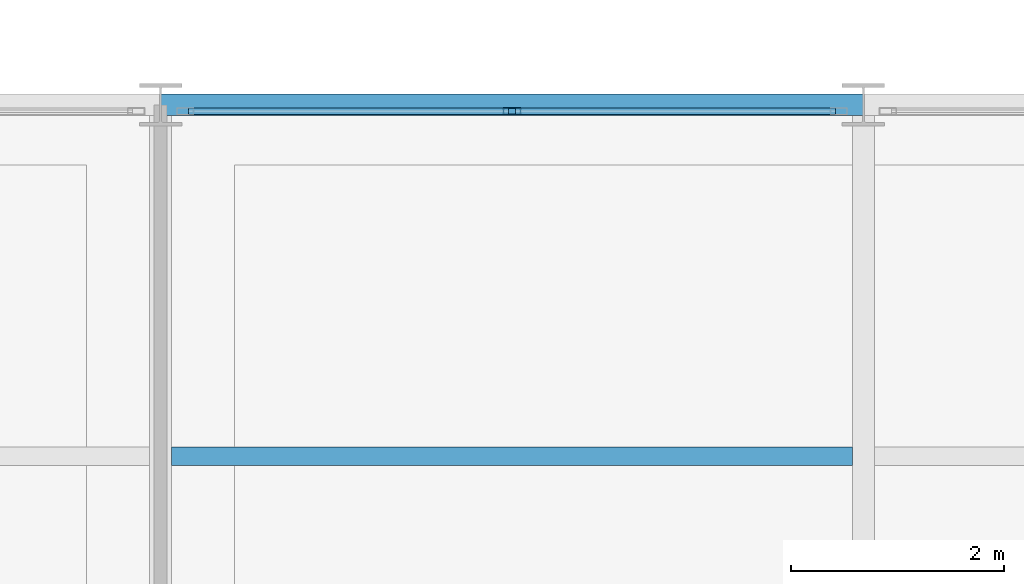
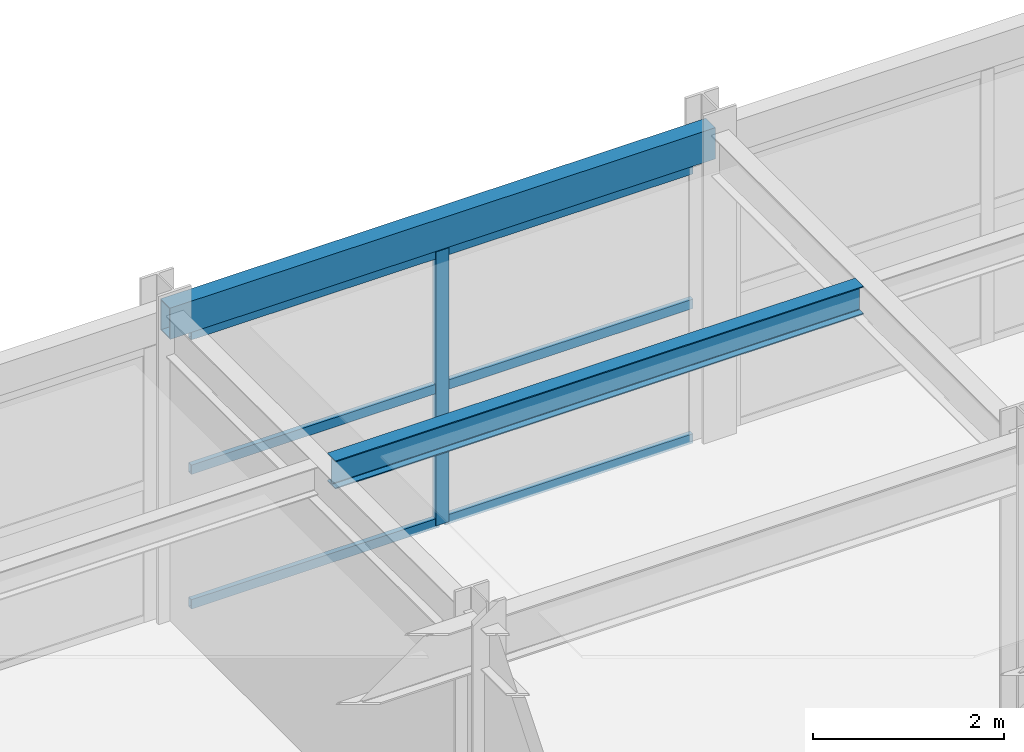
# One storey, part 58 of 147: 7 members, 2 beams, 1 element without a shape of its own.
"""IFC4 building model written with IfcOpenShell, lengths in metres."""

from ifc_helpers import new_model, si_unit, direction, frame, origin, origin_2d, place, context, subcontext, project, spatial, hollow_rectangle, i_section, extrude, material, material_profile, profile_set, type_object, element, aggregate, save


model = new_model("IFC4")

# Units and contexts
model_context = context("Model", 3, precision=1e-05, world=origin(), true_north=direction((0.0, 1.0)))
body_context = subcontext(model_context, "Body", "Model", "MODEL_VIEW")
ifc_project = project(units=[si_unit("LENGTHUNIT", "METRE"), si_unit("AREAUNIT", "SQUARE_METRE"), si_unit("VOLUMEUNIT", "CUBIC_METRE"), si_unit("PLANEANGLEUNIT", "RADIAN"), si_unit("MASSUNIT", "GRAM", prefix="KILO")], contexts=[model_context])

# Site, building, storey
site_placement = place(None, origin())
site = spatial("IfcSite", under=ifc_project, at=site_placement, CompositionType="ELEMENT")
building_placement = place(site_placement, origin())
building = spatial("IfcBuilding", under=site, at=building_placement, Name="Karori Crest Natural Sciences Institute", CompositionType="ELEMENT")
storey_placement = place(building_placement, frame((0.0, 0.0, 9.10009765625)))
storey = spatial("IfcBuildingStorey", under=building, at=storey_placement, Name="L02", CompositionType="ELEMENT", Elevation=9.10009765625)

# Beams
ifc_material_1 = material(Name="Structural steel AS/NZS 3679.1 Grade 350", Category="steel")
ifc_material_profile_1 = material_profile(ifc_material_1, i_section(OverallWidth=0.172119140625, OverallDepth=0.35888671875, WebThickness=0.008056640625, FlangeThickness=0.012939453125, FilletRadius=0.010986328125, at=origin_2d()), Name="360UB56.7")
ifc_profile_set_1 = profile_set([ifc_material_profile_1], Name="Structural steel AS/NZS 3679.1 Grade 350")
beam_type_1 = type_object("IfcBeamType", Name="BT-08", PredefinedType="BEAM", material=ifc_profile_set_1)
beam_1_placement = place(storey_placement, frame((123.50439453125, 17.300048828125, 3.740478515625), z_axis=(1.0, 0.0, 0.0), x_axis=(0.0, 1.0, 0.0)))
element("IfcBeam", 1, at=beam_1_placement, inside=storey, type_object=beam_type_1, Name="Beam B-2267", PredefinedType="BEAM", context=body_context, shape_type="SweptSolid", body=[
    extrude(i_section(OverallWidth=0.172119140625, OverallDepth=0.35888671875, WebThickness=0.008056640625, FlangeThickness=0.012939453125, FilletRadius=0.010986328125, at=origin_2d()), origin(), (0.0, 0.0, 1.0), 6.39111328125),
])
ifc_material_2 = material(Name="Hollow structural steel AS/NZS 1163 Grade C350", Category="steel")
ifc_material_profile_2 = material_profile(ifc_material_2, hollow_rectangle(XDim=0.199951171875, YDim=0.39990234375, WallThickness=0.012451171875, at=origin_2d()), Name="RHS400x200x12.5")
ifc_profile_set_2 = profile_set([ifc_material_profile_2], Name="Hollow structural steel AS/NZS 1163 Grade C350")
beam_type_2 = type_object("IfcBeamType", Name="BT-14", PredefinedType="SPANDREL", material=ifc_profile_set_2)
beam_2_placement = place(storey_placement, frame((123.39990234375, 20.60009765625, 3.719970703125), z_axis=(1.0, 0.0, 0.0), x_axis=(0.0, 1.0, 0.0)))
element("IfcBeam", 2, at=beam_2_placement, inside=storey, type_object=beam_type_2, Name="Beam B-2223", PredefinedType="SPANDREL", context=body_context, shape_type="SweptSolid", body=[
    extrude(hollow_rectangle(XDim=0.199951171875, YDim=0.39990234375, WallThickness=0.012451171875, at=origin_2d()), origin(), (0.0, 0.0, 1.0), 6.60009765625),
])

# Curtain wall, members
ifc_material_3 = material(Name="Anodised architectural aluminium 6063-T6", Category="aluminium")
curtain_wall_type = type_object("IfcCurtainWallType", Name="CWT-20", PredefinedType="NOTDEFINED", material=ifc_material_3)
curtain_wall_placement = place(storey_placement, origin())
curtain_wall = element("IfcCurtainWall", 3, at=curtain_wall_placement, inside=storey, type_object=curtain_wall_type, Name="Curtain wall CW-0316", PredefinedType="NOTDEFINED")
ifc_material_profile_3 = material_profile(ifc_material_3, hollow_rectangle(XDim=0.06494140625, YDim=0.159912109375, WallThickness=0.00390625, at=origin_2d()), Name="CWM160x65x4")
ifc_profile_set_3 = profile_set([ifc_material_profile_3], Name="Anodised architectural aluminium 6063-T6")
member_type_1 = type_object("IfcMemberType", Name="CWM-01", PredefinedType="MULLION", material=ifc_profile_set_3)
member_1_placement = place(storey_placement, frame((126.699951171875, 20.5400390625, 0.0), z_axis=(0.0, 0.0, 1.0), x_axis=(0.0, 1.0, 0.0)))
member_1 = element("IfcMember", 4, at=member_1_placement, type_object=member_type_1, Name="CW-0316 mullion 2", PredefinedType="MULLION", context=body_context, shape_type="SweptSolid", body=[
    extrude(hollow_rectangle(XDim=0.06494140625, YDim=0.159912109375, WallThickness=0.00390625, at=origin_2d()), origin(), (0.0, 0.0, 1.0), 3.5048828125),
])
ifc_material_profile_4 = material_profile(ifc_material_3, hollow_rectangle(XDim=0.06005859375, YDim=0.1201171875, WallThickness=0.00390625, at=origin_2d()), Name="CWT120x60x4")
ifc_profile_set_4 = profile_set([ifc_material_profile_4], Name="Anodised architectural aluminium 6063-T6")
member_type_2 = type_object("IfcMemberType", Name="CWT-TR1", PredefinedType="USERDEFINED", material=ifc_profile_set_4)
member_2_placement = place(storey_placement, frame((123.6630859375, 20.5400390625, 0.02978515625), z_axis=(1.0, 0.0, 0.0), x_axis=(0.0, 1.0, 0.0)))
member_2 = element("IfcMember", 5, at=member_2_placement, type_object=member_type_2, Name="CW-0316 transom 1.1", ObjectType="TRANSOM", PredefinedType="USERDEFINED", context=body_context, shape_type="SweptSolid", body=[
    extrude(hollow_rectangle(XDim=0.06005859375, YDim=0.1201171875, WallThickness=0.00390625, at=origin_2d()), origin(), (0.0, 0.0, 1.0), 3.00439453125),
])
member_3_placement = place(storey_placement, frame((123.6630859375, 20.5400390625, 1.75244140625), z_axis=(1.0, 0.0, 0.0), x_axis=(0.0, 1.0, 0.0)))
member_3 = element("IfcMember", 6, at=member_3_placement, type_object=member_type_2, Name="CW-0316 transom 1.2", ObjectType="TRANSOM", PredefinedType="USERDEFINED", context=body_context, shape_type="SweptSolid", body=[
    extrude(hollow_rectangle(XDim=0.06005859375, YDim=0.1201171875, WallThickness=0.00390625, at=origin_2d()), origin(), (0.0, 0.0, 1.0), 3.00439453125),
])
member_4_placement = place(storey_placement, frame((123.6630859375, 20.5400390625, 3.474853515625), z_axis=(1.0, 0.0, 0.0), x_axis=(0.0, 1.0, 0.0)))
member_4 = element("IfcMember", 7, at=member_4_placement, type_object=member_type_2, Name="CW-0316 transom 1.3", ObjectType="TRANSOM", PredefinedType="USERDEFINED", context=body_context, shape_type="SweptSolid", body=[
    extrude(hollow_rectangle(XDim=0.06005859375, YDim=0.1201171875, WallThickness=0.00390625, at=origin_2d()), origin(), (0.0, 0.0, 1.0), 3.00439453125),
])
member_5_placement = place(storey_placement, frame((126.732421875, 20.5400390625, 0.02978515625), z_axis=(1.0, 0.0, 0.0), x_axis=(0.0, 1.0, 0.0)))
member_5 = element("IfcMember", 8, at=member_5_placement, type_object=member_type_2, Name="CW-0316 transom 2.1", ObjectType="TRANSOM", PredefinedType="USERDEFINED", context=body_context, shape_type="SweptSolid", body=[
    extrude(hollow_rectangle(XDim=0.06005859375, YDim=0.1201171875, WallThickness=0.00390625, at=origin_2d()), origin(), (0.0, 0.0, 1.0), 3.004638671875),
])
member_6_placement = place(storey_placement, frame((126.732421875, 20.5400390625, 1.75244140625), z_axis=(1.0, 0.0, 0.0), x_axis=(0.0, 1.0, 0.0)))
member_6 = element("IfcMember", 9, at=member_6_placement, type_object=member_type_2, Name="CW-0316 transom 2.2", ObjectType="TRANSOM", PredefinedType="USERDEFINED", context=body_context, shape_type="SweptSolid", body=[
    extrude(hollow_rectangle(XDim=0.06005859375, YDim=0.1201171875, WallThickness=0.00390625, at=origin_2d()), origin(), (0.0, 0.0, 1.0), 3.004638671875),
])
member_7_placement = place(storey_placement, frame((126.732421875, 20.5400390625, 3.474853515625), z_axis=(1.0, 0.0, 0.0), x_axis=(0.0, 1.0, 0.0)))
member_7 = element("IfcMember", 10, at=member_7_placement, type_object=member_type_2, Name="CW-0316 transom 2.3", ObjectType="TRANSOM", PredefinedType="USERDEFINED", context=body_context, shape_type="SweptSolid", body=[
    extrude(hollow_rectangle(XDim=0.06005859375, YDim=0.1201171875, WallThickness=0.00390625, at=origin_2d()), origin(), (0.0, 0.0, 1.0), 3.004638671875),
])
aggregate(curtain_wall, [member_1, member_2, member_3, member_4, member_5, member_6, member_7])

save(model, "model.ifc")
